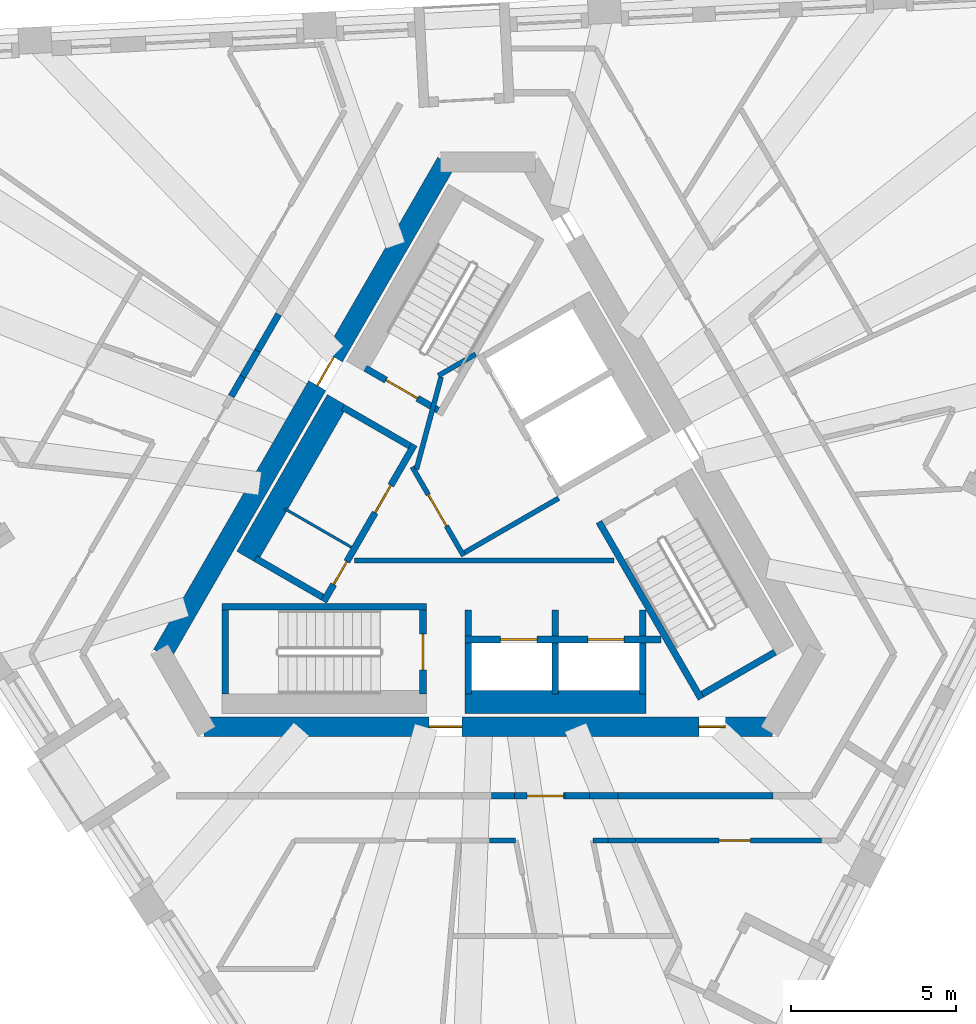
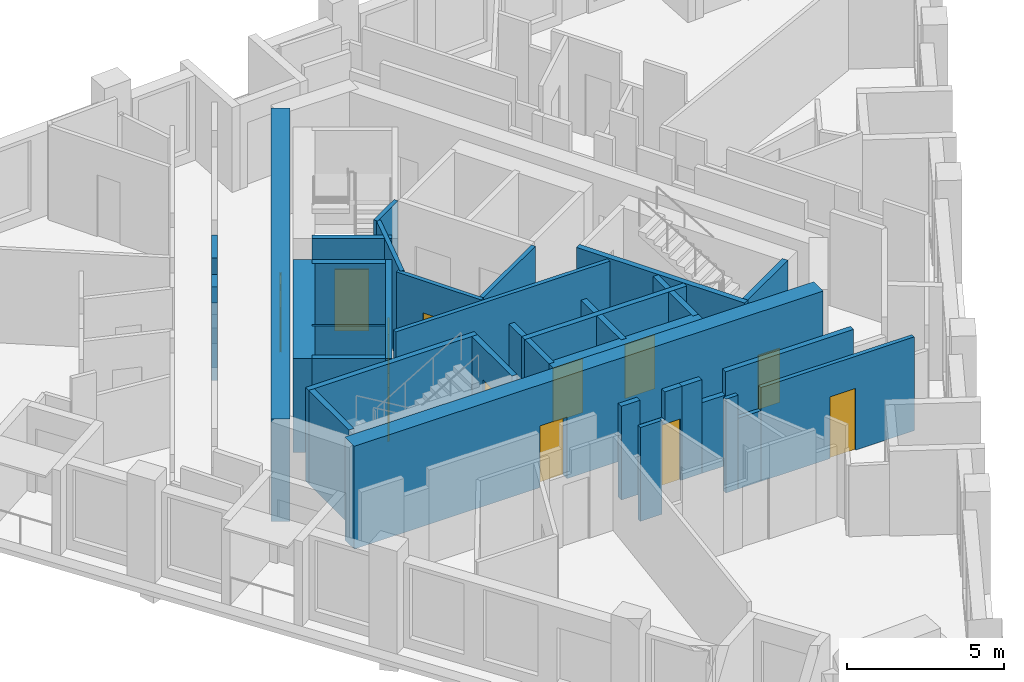
# One storey, part 4 of 13: 38 walls, 12 doors, 12 openings.
"""IFC4 building model written with IfcOpenShell, lengths in metres."""

from ifc_helpers import new_model, si_unit, direction, frame, frame_2d, origin, place, context, subcontext, project, spatial, polyline, rectangle, outline, extrude, material, layer, layer_set, type_object, element, fill, save


model = new_model("IFC4")

# Units and contexts
model_context = context("Model", 3, precision=1e-05, world=origin(), true_north=direction((0.0, 1.0)))
body_context = subcontext(model_context, "Body", "Model", "MODEL_VIEW")
ifc_project = project(units=[si_unit("LENGTHUNIT", "METRE"), si_unit("AREAUNIT", "SQUARE_METRE"), si_unit("VOLUMEUNIT", "CUBIC_METRE"), si_unit("PLANEANGLEUNIT", "RADIAN"), si_unit("MASSUNIT", "GRAM", prefix="KILO")], contexts=[model_context])

# Site, building, storey
site_placement = place(None, origin())
site = spatial("IfcSite", under=ifc_project, at=site_placement, CompositionType="ELEMENT")
building_placement = place(site_placement, origin())
building = spatial("IfcBuilding", under=site, at=building_placement, Name="Tramontana Tower", CompositionType="ELEMENT")
storey_placement = place(building_placement, frame((0.0, 0.0, 286.39990234375)))
storey = spatial("IfcBuildingStorey", under=building, at=storey_placement, Name="L67", CompositionType="ELEMENT", Elevation=286.39990234375)

# Wall, opening, door
ifc_material_1 = material(Name="Concrete 70 MPa", Category="concrete")
ifc_layer_1 = layer(ifc_material_1, 0.60009765625)
ifc_layer_set_1 = layer_set([ifc_layer_1], Name="Core wall 600 70 MPa")
wall_type_1 = type_object("IfcWallType", Name="Core wall 600 70 MPa", PredefinedType="SHEAR", material=ifc_layer_set_1)
wall_1_placement = place(storey_placement, frame((-1.270263671875, 10.699951171875, 0.0), z_axis=(0.0, 0.0, 1.0), x_axis=(-0.499999536116, -0.866025671608, 0.0)))
wall_1 = element("IfcWall", 1, at=wall_1_placement, inside=storey, type_object=wall_type_1, Name="Core wall C1 L67", PredefinedType="SHEAR", context=body_context, shape_type="SweptSolid", body=[
    extrude(rectangle(XDim=17.2626953125, YDim=0.60009765625, at=frame_2d((8.63134765625, 0.0))), origin(), (0.0, 0.0, 1.0), 4.0),
])
opening_1_placement = place(wall_1_placement, frame((6.83642578125, 0.0, 0.0)))
opening_1 = element("IfcOpeningElement", 2, at=opening_1_placement, cuts=wall_1, Name="Opening RG1", PredefinedType="OPENING", context=body_context, shape_type="SweptSolid", body=[
    extrude(rectangle(XDim=1.0, YDim=2.39990234375, at=frame_2d((0.5, 1.199951171875))), frame((0.0, 0.31005859375, 0.0), z_axis=(0.0, -1.0, 0.0), x_axis=(1.0, 0.0, 0.0)), (0.0, 0.0, 1.0), 0.6201171875),
])
ifc_material_2 = material(Name="Painted steel", Category="steel")
door_type_1 = type_object("IfcDoorType", Name="RING DOOR 1000", OperationType="SINGLE_SWING_LEFT", PredefinedType="DOOR", material=ifc_material_2)
door_1_placement = place(opening_1_placement, origin())
door_1 = element("IfcDoor", 3, at=door_1_placement, inside=storey, type_object=door_type_1, Name="Door RG1", OperationType="SINGLE_SWING_RIGHT", OverallHeight=2.39990234375, OverallWidth=1.0, PredefinedType="DOOR", context=body_context, shape_type="SweptSolid", body=[
    extrude(rectangle(XDim=1.0, YDim=2.39990234375, at=frame_2d((0.5, 1.199951171875))), frame((0.0, 0.02490234375, 0.0), z_axis=(0.0, -1.0, 0.0), x_axis=(1.0, 0.0, 0.0)), (0.0, 0.0, 1.0), 0.050048828125),
])
fill(opening_1, door_1)

# Wall, openings, doors
wall_2_placement = place(storey_placement, frame((-8.63134765625, -6.449951171875, 0.0), z_axis=(0.0, 0.0, 1.0), x_axis=(1.0, 0.0, 0.0)))
wall_2 = element("IfcWall", 4, at=wall_2_placement, inside=storey, type_object=wall_type_1, Name="Core wall C3 L67", PredefinedType="SHEAR", context=body_context, shape_type="SweptSolid", body=[
    extrude(rectangle(XDim=17.2626953125, YDim=0.60009765625, at=frame_2d((8.63134765625, 0.0))), origin(), (0.0, 0.0, 1.0), 4.0),
])
opening_2_placement = place(wall_2_placement, frame((6.83642578125, 0.0, 0.0)))
opening_2 = element("IfcOpeningElement", 5, at=opening_2_placement, cuts=wall_2, Name="Opening RG2", PredefinedType="OPENING", context=body_context, shape_type="SweptSolid", body=[
    extrude(rectangle(XDim=1.0, YDim=2.39990234375, at=frame_2d((0.5, 1.199951171875))), frame((0.0, 0.31005859375, 0.0), z_axis=(0.0, -1.0, 0.0), x_axis=(1.0, 0.0, 0.0)), (0.0, 0.0, 1.0), 0.6201171875),
])
opening_3_placement = place(wall_2_placement, frame((15.0341796875, 0.0, 0.0)))
opening_3 = element("IfcOpeningElement", 6, at=opening_3_placement, cuts=wall_2, Name="Opening PD2", PredefinedType="OPENING", context=body_context, shape_type="SweptSolid", body=[
    extrude(rectangle(XDim=0.800048828125, YDim=2.10009765625, at=frame_2d((0.39990234375, 1.050048828125))), frame((0.0, 0.31005859375, 0.0), z_axis=(0.0, -1.0, 0.0), x_axis=(1.0, 0.0, 0.0)), (0.0, 0.0, 1.0), 0.6201171875),
])
ifc_material_3 = material(Name="Painted steel", Category="steel")
door_type_2 = type_object("IfcDoorType", Name="CUPBOARD DOOR 800", OperationType="SINGLE_SWING_LEFT", PredefinedType="DOOR", material=ifc_material_3)
door_2_placement = place(opening_3_placement, origin())
door_2 = element("IfcDoor", 7, at=door_2_placement, inside=storey, type_object=door_type_2, Name="Door PD2", OperationType="SINGLE_SWING_LEFT", OverallHeight=2.10009765625, OverallWidth=0.800048828125, PredefinedType="DOOR", context=body_context, shape_type="SweptSolid", body=[
    extrude(rectangle(XDim=0.800048828125, YDim=2.10009765625, at=frame_2d((0.39990234375, 1.050048828125))), frame((0.0, 0.02490234375, 0.0), z_axis=(0.0, -1.0, 0.0), x_axis=(1.0, 0.0, 0.0)), (0.0, 0.0, 1.0), 0.050048828125),
])
fill(opening_3, door_2)
door_3_placement = place(opening_2_placement, origin())
door_3 = element("IfcDoor", 8, at=door_3_placement, inside=storey, type_object=door_type_1, Name="Door RG2", OperationType="SINGLE_SWING_LEFT", OverallHeight=2.39990234375, OverallWidth=1.0, PredefinedType="DOOR", context=body_context, shape_type="SweptSolid", body=[
    extrude(rectangle(XDim=1.0, YDim=2.39990234375, at=frame_2d((0.5, 1.199951171875))), frame((0.0, 0.02490234375, 0.0), z_axis=(0.0, -1.0, 0.0), x_axis=(1.0, 0.0, 0.0)), (0.0, 0.0, 1.0), 0.050048828125),
])
fill(opening_2, door_3)

# Walls
ifc_material_4 = material(Name="Blockwork", Category="masonry")
ifc_layer_2 = layer(ifc_material_4, 0.199951171875)
ifc_layer_set_2 = layer_set([ifc_layer_2], Name="ENTRY WALL 200")
wall_type_2 = type_object("IfcWallType", Name="ENTRY WALL 200", PredefinedType="SOLIDWALL", material=ifc_layer_set_2)
wall_3_placement = place(storey_placement, frame((8.6552734375, -8.550048828125, 0.0), z_axis=(0.0, 0.0, 1.0), x_axis=(-1.0, 0.0, 0.0)))
element("IfcWall", 9, at=wall_3_placement, inside=storey, type_object=wall_type_2, Name="Wall v71-ew1-1", PredefinedType="SOLIDWALL", context=body_context, shape_type="SweptSolid", body=[
    extrude(rectangle(XDim=4.71728515625, YDim=0.199951171875, at=frame_2d((2.358642578125, 0.0))), origin(), (0.0, 0.0, 1.0), 3.650146484375),
])
wall_4_placement = place(storey_placement, frame((3.93798828125, -8.550048828125, 0.0), z_axis=(0.0, 0.0, 1.0), x_axis=(-1.0, 0.0, 0.0)))
element("IfcWall", 10, at=wall_4_placement, inside=storey, type_object=wall_type_2, Name="Wall v71-ew1-2", PredefinedType="SOLIDWALL", context=body_context, shape_type="SweptSolid", body=[
    extrude(rectangle(XDim=0.864501953125, YDim=0.199951171875, at=frame_2d((0.43212890625, 0.0))), origin(), (0.0, 0.0, 1.0), 2.75),
])
wall_5_placement = place(storey_placement, frame((3.073486328125, -8.550048828125, 0.0), z_axis=(0.0, 0.0, 1.0), x_axis=(-1.0, 0.0, 0.0)))
element("IfcWall", 11, at=wall_5_placement, inside=storey, type_object=wall_type_2, Name="Wall v71-ew1-3", PredefinedType="SOLIDWALL", context=body_context, shape_type="SweptSolid", body=[
    extrude(rectangle(XDim=0.73828125, YDim=0.199951171875, at=frame_2d((0.369140625, 0.0))), origin(), (0.0, 0.0, 1.0), 3.650146484375),
])

# Wall, opening, door
wall_6_placement = place(storey_placement, frame((2.335205078125, -8.550048828125, 0.0), z_axis=(0.0, 0.0, 1.0), x_axis=(-1.0, 0.0, 0.0)))
wall_6 = element("IfcWall", 12, at=wall_6_placement, inside=storey, type_object=wall_type_2, Name="Wall v71-ew1-4", PredefinedType="SOLIDWALL", context=body_context, shape_type="SweptSolid", body=[
    extrude(outline(polyline([(0.0, 0.0), (1.5400390625, 0.0), (1.5400390625, 2.550048828125), (0.63037109375, 2.550048828125), (0.63037109375, 3.650146484375), (0.0, 3.650146484375), (0.0, 0.0)])), frame((0.0, 0.10009765625, 0.0), z_axis=(0.0, -1.0, 0.0), x_axis=(1.0, 0.0, 0.0)), (0.0, 0.0, 1.0), 0.199951171875),
])
opening_4_placement = place(wall_6_placement, frame((0.050048828125, 0.0, 0.0)))
opening_4 = element("IfcOpeningElement", 13, at=opening_4_placement, cuts=wall_6, Name="Opening B7B-21", PredefinedType="OPENING", context=body_context, shape_type="SweptSolid", body=[
    extrude(rectangle(XDim=1.10009765625, YDim=2.39990234375, at=frame_2d((0.550048828125, 1.199951171875))), frame((0.0, 0.10986328125, 0.0), z_axis=(0.0, -1.0, 0.0), x_axis=(1.0, 0.0, 0.0)), (0.0, 0.0, 1.0), 0.219970703125),
])
ifc_material_5 = material(Name="Painted timber", Category="wood")
door_type_3 = type_object("IfcDoorType", Name="DOOR ENTRY 1100", OperationType="SINGLE_SWING_LEFT", PredefinedType="DOOR", material=ifc_material_5)
door_4_placement = place(opening_4_placement, origin())
door_4 = element("IfcDoor", 14, at=door_4_placement, inside=storey, type_object=door_type_3, Name="Door B7B-21", OperationType="SINGLE_SWING_LEFT", OverallHeight=2.39990234375, OverallWidth=1.10009765625, PredefinedType="DOOR", context=body_context, shape_type="SweptSolid", body=[
    extrude(rectangle(XDim=1.10009765625, YDim=2.39990234375, at=frame_2d((0.550048828125, 1.199951171875))), frame((0.0, 0.02490234375, 0.0), z_axis=(0.0, -1.0, 0.0), x_axis=(1.0, 0.0, 0.0)), (0.0, 0.0, 1.0), 0.050048828125),
])
fill(opening_4, door_4)

# Walls
wall_7_placement = place(storey_placement, frame((0.795166015625, -8.550048828125, 0.0), z_axis=(0.0, 0.0, 1.0), x_axis=(-1.0, 0.0, 0.0)))
element("IfcWall", 15, at=wall_7_placement, inside=storey, type_object=wall_type_2, Name="Wall v71-ew1-5", PredefinedType="SOLIDWALL", context=body_context, shape_type="SweptSolid", body=[
    extrude(rectangle(XDim=0.69091796875, YDim=0.199951171875, at=frame_2d((0.345458984375, 0.0))), origin(), (0.0, 0.0, 1.0), 3.650146484375),
])
wall_8_placement = place(storey_placement, frame((-7.80224609375, 3.586181640625, 0.0), z_axis=(0.0, 0.0, 1.0), x_axis=(0.500242282693, 0.865885476611, 0.0)))
element("IfcWall", 16, at=wall_8_placement, inside=storey, type_object=wall_type_2, Name="Wall v71-ew3-5", PredefinedType="SOLIDWALL", context=body_context, shape_type="SweptSolid", body=[
    extrude(rectangle(XDim=0.691162109375, YDim=0.199951171875, at=frame_2d((0.345703125, 0.0))), origin(), (0.0, 0.0, 1.0), 3.650146484375),
])
wall_9_placement = place(storey_placement, frame((-7.45654296875, 4.1845703125, 0.0), z_axis=(0.0, 0.0, 1.0), x_axis=(0.499753735824, 0.866167537795, 0.0)))
element("IfcWall", 17, at=wall_9_placement, inside=storey, type_object=wall_type_2, Name="Wall v71-ew3-6", PredefinedType="SOLIDWALL", context=body_context, shape_type="SweptSolid", body=[
    extrude(rectangle(XDim=0.90087890625, YDim=0.199951171875, at=frame_2d((0.450439453125, 0.0))), origin(), (0.0, 0.0, 1.0), 2.550048828125),
])
wall_10_placement = place(storey_placement, frame((-7.00634765625, 4.96484375, 0.0), z_axis=(0.0, 0.0, 1.0), x_axis=(0.500018234033, 0.866014876105, 0.0)))
element("IfcWall", 18, at=wall_10_placement, inside=storey, type_object=wall_type_2, Name="Wall v71-ew3-7", PredefinedType="SOLIDWALL", context=body_context, shape_type="SweptSolid", body=[
    extrude(rectangle(XDim=1.2861328125, YDim=0.199951171875, at=frame_2d((0.64306640625, 0.0))), origin(), (0.0, 0.0, 1.0), 3.650146484375),
])

# Wall, opening, door
ifc_material_6 = material(Name="Gypsum board partition")
ifc_layer_3 = layer(ifc_material_6, 0.14990234375)
ifc_layer_set_3 = layer_set([ifc_layer_3], Name="PARTITION 150")
wall_type_3 = type_object("IfcWallType", Name="PARTITION 150", PredefinedType="PARTITIONING", material=ifc_layer_set_3)
wall_11_placement = place(storey_placement, frame((-0.744140625, -1.260986328125, 0.0), z_axis=(0.0, 0.0, 1.0), x_axis=(-0.500004234368, 0.866022959057, 0.0)))
wall_11 = element("IfcWall", 19, at=wall_11_placement, inside=storey, type_object=wall_type_3, Name="Wall ff-front", PredefinedType="PARTITIONING", context=body_context, shape_type="SweptSolid", body=[
    extrude(rectangle(XDim=3.125, YDim=0.14990234375, at=frame_2d((1.5625, 0.0))), origin(), (0.0, 0.0, 1.0), 3.650146484375),
])
opening_5_placement = place(wall_11_placement, frame((1.050048828125, 0.0, 0.0)))
opening_5 = element("IfcOpeningElement", 20, at=opening_5_placement, cuts=wall_11, Name="Opening FD1", PredefinedType="OPENING", context=body_context, shape_type="SweptSolid", body=[
    extrude(rectangle(XDim=1.10009765625, YDim=2.39990234375, at=frame_2d((0.550048828125, 1.199951171875))), frame((0.0, 0.0849609375, 0.0), z_axis=(0.0, -1.0, 0.0), x_axis=(1.0, 0.0, 0.0)), (0.0, 0.0, 1.0), 0.169921875),
])
door_5_placement = place(opening_5_placement, origin())
door_5 = element("IfcDoor", 21, at=door_5_placement, inside=storey, type_object=door_type_3, Name="Door FD1", OperationType="SINGLE_SWING_LEFT", OverallHeight=2.39990234375, OverallWidth=1.10009765625, PredefinedType="DOOR", context=body_context, shape_type="SweptSolid", body=[
    extrude(rectangle(XDim=1.10009765625, YDim=2.39990234375, at=frame_2d((0.550048828125, 1.199951171875))), frame((0.0, 0.02490234375, 0.0), z_axis=(0.0, -1.0, 0.0), x_axis=(1.0, 0.0, 0.0)), (0.0, 0.0, 1.0), 0.050048828125),
])
fill(opening_5, door_5)

# Walls
wall_12_placement = place(storey_placement, frame((-0.716796875, -1.15869140625, 0.0), z_axis=(0.0, 0.0, 1.0), x_axis=(0.866008176907, 0.50002983664, 0.0)))
element("IfcWall", 22, at=wall_12_placement, inside=storey, type_object=wall_type_3, Name="Wall ff-end0", PredefinedType="PARTITIONING", context=body_context, shape_type="SweptSolid", body=[
    extrude(rectangle(XDim=3.300048828125, YDim=0.14990234375, at=frame_2d((1.64990234375, 0.0))), origin(), (0.0, 0.0, 1.0), 3.650146484375),
])
wall_13_placement = place(storey_placement, frame((-2.177978515625, 1.372314453125, 0.0), z_axis=(0.0, 0.0, 1.0), x_axis=(0.258808958833, 0.96592852884, 0.0)))
element("IfcWall", 23, at=wall_13_placement, inside=storey, type_object=wall_type_3, Name="Wall ff-diag", PredefinedType="PARTITIONING", context=body_context, shape_type="SweptSolid", body=[
    extrude(rectangle(XDim=2.902587890625, YDim=0.14990234375, at=frame_2d((1.451171875, 0.0))), origin(), (0.0, 0.0, 1.0), 3.650146484375),
])
wall_14_placement = place(storey_placement, frame((-1.509765625, 4.21484375, 0.0), z_axis=(0.0, 0.0, 1.0), x_axis=(0.866085525409, 0.49989585183, 0.0)))
element("IfcWall", 24, at=wall_14_placement, inside=storey, type_object=wall_type_3, Name="Wall ff-end1", PredefinedType="PARTITIONING", context=body_context, shape_type="SweptSolid", body=[
    extrude(rectangle(XDim=1.300048828125, YDim=0.14990234375, at=frame_2d((0.64990234375, 0.0))), origin(), (0.0, 0.0, 1.0), 3.650146484375),
])
wall_15_placement = place(storey_placement, frame((-4.053466796875, -1.39990234375, 0.0), z_axis=(0.0, 0.0, 1.0), x_axis=(1.0, 0.0, 0.0)))
element("IfcWall", 25, at=wall_15_placement, inside=storey, type_object=wall_type_3, Name="Wall hub-cut1", PredefinedType="PARTITIONING", context=body_context, shape_type="SweptSolid", body=[
    extrude(rectangle(XDim=7.8759765625, YDim=0.14990234375, at=frame_2d((3.93798828125, 0.0))), origin(), (0.0, 0.0, 1.0), 3.650146484375),
])
wall_16_placement = place(storey_placement, frame((0.83251953125, -9.89990234375, 0.0), z_axis=(0.0, 0.0, 1.0), x_axis=(-1.0, 0.0, 0.0)))
element("IfcWall", 26, at=wall_16_placement, inside=storey, type_object=wall_type_3, Name="Wall v71-pw21-0", PredefinedType="PARTITIONING", context=body_context, shape_type="SweptSolid", body=[
    extrude(rectangle(XDim=0.79541015625, YDim=0.14990234375, at=frame_2d((0.397705078125, 0.0))), origin(), (0.0, 0.0, 1.0), 3.650146484375),
])

# Wall, opening, door
wall_17_placement = place(storey_placement, frame((10.121337890625, -9.89990234375, 0.0), z_axis=(0.0, 0.0, 1.0), x_axis=(-1.0, 0.0, 0.0)))
wall_17 = element("IfcWall", 27, at=wall_17_placement, inside=storey, type_object=wall_type_3, Name="Wall v71-pw36-1", PredefinedType="PARTITIONING", context=body_context, shape_type="SweptSolid", body=[
    extrude(rectangle(XDim=5.643310546875, YDim=0.14990234375, at=frame_2d((2.82177734375, 0.0))), origin(), (0.0, 0.0, 1.0), 3.650146484375),
])
opening_6_placement = place(wall_17_placement, frame((2.158447265625, 0.0, 0.0)))
opening_6 = element("IfcOpeningElement", 28, at=opening_6_placement, cuts=wall_17, Name="Opening B7B-11", PredefinedType="OPENING", context=body_context, shape_type="SweptSolid", body=[
    extrude(rectangle(XDim=0.949951171875, YDim=2.39990234375, at=frame_2d((0.47509765625, 1.199951171875))), frame((0.0, 0.0849609375, 0.0), z_axis=(0.0, -1.0, 0.0), x_axis=(1.0, 0.0, 0.0)), (0.0, 0.0, 1.0), 0.169921875),
])
ifc_material_7 = material(Name="Painted timber", Category="wood")
door_type_4 = type_object("IfcDoorType", Name="DOOR ROOM 950", OperationType="SINGLE_SWING_LEFT", PredefinedType="DOOR", material=ifc_material_7)
door_6_placement = place(opening_6_placement, origin())
door_6 = element("IfcDoor", 29, at=door_6_placement, inside=storey, type_object=door_type_4, Name="Door B7B-11", OperationType="SINGLE_SWING_LEFT", OverallHeight=2.39990234375, OverallWidth=0.949951171875, PredefinedType="DOOR", context=body_context, shape_type="SweptSolid", body=[
    extrude(rectangle(XDim=0.949951171875, YDim=2.39990234375, at=frame_2d((0.47509765625, 1.199951171875))), frame((0.0, 0.02490234375, 0.0), z_axis=(0.0, -1.0, 0.0), x_axis=(1.0, 0.0, 0.0)), (0.0, 0.0, 1.0), 0.050048828125),
])
fill(opening_6, door_6)

# Walls
wall_18_placement = place(storey_placement, frame((4.47802734375, -9.89990234375, 0.0), z_axis=(0.0, 0.0, 1.0), x_axis=(-1.0, 0.0, 0.0)))
element("IfcWall", 30, at=wall_18_placement, inside=storey, type_object=wall_type_3, Name="Wall v71-pw36-2", PredefinedType="PARTITIONING", context=body_context, shape_type="SweptSolid", body=[
    extrude(rectangle(XDim=0.837646484375, YDim=0.14990234375, at=frame_2d((0.4189453125, 0.0))), origin(), (0.0, 0.0, 1.0), 2.75),
])
wall_19_placement = place(storey_placement, frame((3.640380859375, -9.89990234375, 0.0), z_axis=(0.0, 0.0, 1.0), x_axis=(-1.0, 0.0, 0.0)))
element("IfcWall", 31, at=wall_19_placement, inside=storey, type_object=wall_type_3, Name="Wall v71-pw36-3", PredefinedType="PARTITIONING", context=body_context, shape_type="SweptSolid", body=[
    extrude(rectangle(XDim=0.45263671875, YDim=0.14990234375, at=frame_2d((0.226318359375, 0.0))), origin(), (0.0, 0.0, 1.0), 3.650146484375),
])
ifc_material_8 = material(Name="Gypsum board partition")
ifc_layer_4 = layer(ifc_material_8, 0.080078125)
ifc_layer_set_4 = layer_set([ifc_layer_4], Name="PARTITION 80")
wall_type_4 = type_object("IfcWallType", Name="PARTITION 80", PredefinedType="PARTITIONING", material=ifc_layer_set_4)
wall_20_placement = place(storey_placement, frame((-4.15478515625, -0.99609375, 0.0), z_axis=(0.0, 0.0, 1.0), x_axis=(-0.866016039709, 0.500016218704, 0.0)))
element("IfcWall", 32, at=wall_20_placement, inside=storey, type_object=wall_type_4, Name="Wall row0-split", PredefinedType="PARTITIONING", context=body_context, shape_type="SweptSolid", body=[
    extrude(rectangle(XDim=2.35009765625, YDim=0.080078125, at=frame_2d((1.175048828125, 0.0))), origin(), (0.0, 0.0, 1.0), 3.650146484375),
])
ifc_material_9 = material(Name="Concrete 70 MPa", Category="concrete")
ifc_layer_5 = layer(ifc_material_9, 0.699951171875)
ifc_layer_set_5 = layer_set([ifc_layer_5], Name="Concrete 70 MPa, 700 mm")
wall_type_5 = type_object("IfcWallType", Name="RC SHAFT BACK WALL 700", PredefinedType="SOLIDWALL", material=ifc_layer_set_5)
for number, where, z_axis, x_axis, name in (
    (33, (-4.581298828125, 3.46484375, 0.0), (0.0, 0.0, 1.0), (-0.499996545922, -0.866027397988, 0.0), "Wall row0-back"),
    (34, (-0.7099609375, -5.699951171875, 0.0), (0.0, 0.0, 1.0), (1.0, 0.0, 0.0), "Wall row1-back"),
):
    element("IfcWall", number, at=place(storey_placement, frame(where, z_axis=z_axis, x_axis=x_axis)), inside=storey, type_object=wall_type_5, Name=name, PredefinedType="SOLIDWALL", context=body_context, shape_type="SweptSolid", body=[
        extrude(rectangle(XDim=5.5, YDim=0.699951171875, at=frame_2d((2.75, 0.0))), origin(), (0.0, 0.0, 1.0), 3.650146484375),
    ])

# Wall, opening, door
ifc_material_10 = material(Name="Concrete 70 MPa", Category="concrete")
ifc_layer_6 = layer(ifc_material_10, 0.199951171875)
ifc_layer_set_6 = layer_set([ifc_layer_6], Name="Concrete 70 MPa, 200 mm")
wall_type_6 = type_object("IfcWallType", Name="RC STAIR AND SHAFT WALL 200", PredefinedType="SOLIDWALL", material=ifc_layer_set_6)
wall_21_placement = place(storey_placement, frame((-1.521484375, 3.164794921875, 0.0), z_axis=(0.0, 0.0, 1.0), x_axis=(-0.866030925526, 0.499990435942, 0.0)))
wall_21 = element("IfcWall", 35, at=wall_21_placement, inside=storey, type_object=wall_type_6, Name="Wall st1-near", PredefinedType="SOLIDWALL", context=body_context, shape_type="SweptSolid", body=[
    extrude(rectangle(XDim=2.5498046875, YDim=0.199951171875, at=frame_2d((1.27490234375, 0.0))), origin(), (0.0, 0.0, 1.0), 3.650146484375),
])
opening_7_placement = place(wall_21_placement, frame((0.72509765625, 0.0, 0.0)))
opening_7 = element("IfcOpeningElement", 36, at=opening_7_placement, cuts=wall_21, Name="Opening SD1", PredefinedType="OPENING", context=body_context, shape_type="SweptSolid", body=[
    extrude(rectangle(XDim=1.10009765625, YDim=2.39990234375, at=frame_2d((0.550048828125, 1.199951171875))), frame((0.0, 0.10986328125, 0.0), z_axis=(0.0, -1.0, 0.0), x_axis=(1.0, 0.0, 0.0)), (0.0, 0.0, 1.0), 0.219970703125),
])
ifc_material_11 = material(Name="Painted steel", Category="steel")
door_type_5 = type_object("IfcDoorType", Name="STAIR DOOR 1100", OperationType="SINGLE_SWING_LEFT", PredefinedType="DOOR", material=ifc_material_11)
door_7_placement = place(opening_7_placement, origin())
door_7 = element("IfcDoor", 37, at=door_7_placement, inside=storey, type_object=door_type_5, Name="Door SD1", OperationType="SINGLE_SWING_RIGHT", OverallHeight=2.39990234375, OverallWidth=1.10009765625, PredefinedType="DOOR", context=body_context, shape_type="SweptSolid", body=[
    extrude(rectangle(XDim=1.10009765625, YDim=2.39990234375, at=frame_2d((0.550048828125, 1.199951171875))), frame((0.0, 0.02490234375, 0.0), z_axis=(0.0, -1.0, 0.0), x_axis=(1.0, 0.0, 0.0)), (0.0, 0.0, 1.0), 0.050048828125),
])
fill(opening_7, door_7)

# Walls
wall_22_placement = place(storey_placement, frame((-8.080078125, -2.800048828125, 0.0), z_axis=(0.0, 0.0, 1.0), x_axis=(1.0, 0.0, 0.0)))
element("IfcWall", 38, at=wall_22_placement, inside=storey, type_object=wall_type_6, Name="Wall st2-front", PredefinedType="SOLIDWALL", context=body_context, shape_type="SweptSolid", body=[
    extrude(rectangle(XDim=6.2001953125, YDim=0.199951171875, at=frame_2d((3.10009765625, 0.0))), origin(), (0.0, 0.0, 1.0), 3.650146484375),
])
wall_23_placement = place(storey_placement, frame((-7.97998046875, -2.89990234375, 0.0), z_axis=(0.0, 0.0, 1.0), x_axis=(0.0, -1.0, 0.0)))
element("IfcWall", 39, at=wall_23_placement, inside=storey, type_object=wall_type_6, Name="Wall st2-far", PredefinedType="SOLIDWALL", context=body_context, shape_type="SweptSolid", body=[
    extrude(rectangle(XDim=2.550048828125, YDim=0.199951171875, at=frame_2d((1.27490234375, 0.0))), origin(), (0.0, 0.0, 1.0), 3.650146484375),
])

# Wall, opening, door
wall_24_placement = place(storey_placement, frame((-1.97998046875, -2.89990234375, 0.0), z_axis=(0.0, 0.0, 1.0), x_axis=(0.0, -1.0, 0.0)))
wall_24 = element("IfcWall", 40, at=wall_24_placement, inside=storey, type_object=wall_type_6, Name="Wall st2-near", PredefinedType="SOLIDWALL", context=body_context, shape_type="SweptSolid", body=[
    extrude(rectangle(XDim=2.550048828125, YDim=0.199951171875, at=frame_2d((1.27490234375, 0.0))), origin(), (0.0, 0.0, 1.0), 3.650146484375),
])
opening_8_placement = place(wall_24_placement, frame((0.72509765625, 0.0, 0.0)))
opening_8 = element("IfcOpeningElement", 41, at=opening_8_placement, cuts=wall_24, Name="Opening SD2", PredefinedType="OPENING", context=body_context, shape_type="SweptSolid", body=[
    extrude(rectangle(XDim=1.10009765625, YDim=2.39990234375, at=frame_2d((0.550048828125, 1.199951171875))), frame((0.0, 0.10986328125, 0.0), z_axis=(0.0, -1.0, 0.0), x_axis=(1.0, 0.0, 0.0)), (0.0, 0.0, 1.0), 0.219970703125),
])
door_8_placement = place(opening_8_placement, origin())
door_8 = element("IfcDoor", 42, at=door_8_placement, inside=storey, type_object=door_type_5, Name="Door SD2", OperationType="SINGLE_SWING_LEFT", OverallHeight=2.39990234375, OverallWidth=1.10009765625, PredefinedType="DOOR", context=body_context, shape_type="SweptSolid", body=[
    extrude(rectangle(XDim=1.10009765625, YDim=2.39990234375, at=frame_2d((0.550048828125, 1.199951171875))), frame((0.0, 0.02490234375, 0.0), z_axis=(0.0, -1.0, 0.0), x_axis=(1.0, 0.0, 0.0)), (0.0, 0.0, 1.0), 0.050048828125),
])
fill(opening_8, door_8)

# Walls
wall_25_placement = place(storey_placement, frame((6.46484375, -5.597412109375, 0.0), z_axis=(0.0, 0.0, 1.0), x_axis=(-0.49998037582, 0.866036733513, 0.0)))
element("IfcWall", 43, at=wall_25_placement, inside=storey, type_object=wall_type_6, Name="Wall st3-front", PredefinedType="SOLIDWALL", context=body_context, shape_type="SweptSolid", body=[
    extrude(rectangle(XDim=6.199951171875, YDim=0.199951171875, at=frame_2d((3.10009765625, 0.0))), origin(), (0.0, 0.0, 1.0), 3.650146484375),
])
wall_26_placement = place(storey_placement, frame((6.50146484375, -5.4609375, 0.0), z_axis=(0.0, 0.0, 1.0), x_axis=(0.865989465428, 0.500062241894, 0.0)))
element("IfcWall", 44, at=wall_26_placement, inside=storey, type_object=wall_type_6, Name="Wall st3-far", PredefinedType="SOLIDWALL", context=body_context, shape_type="SweptSolid", body=[
    extrude(rectangle(XDim=2.550048828125, YDim=0.199951171875, at=frame_2d((1.27490234375, 0.0))), origin(), (0.0, 0.0, 1.0), 3.650146484375),
])

# Wall, openings, doors
wall_27_placement = place(storey_placement, frame((-4.9931640625, -2.648193359375, 0.0), z_axis=(0.0, 0.0, 1.0), x_axis=(0.499996545922, 0.866027397988, 0.0)))
wall_27 = element("IfcWall", 45, at=wall_27_placement, inside=storey, type_object=wall_type_6, Name="Wall row0-front", PredefinedType="SOLIDWALL", context=body_context, shape_type="SweptSolid", body=[
    extrude(rectangle(XDim=5.5, YDim=0.199951171875, at=frame_2d((2.75, 0.0))), origin(), (0.0, 0.0, 1.0), 3.650146484375),
])
opening_9_placement = place(wall_27_placement, frame((3.1201171875, 0.0, 0.0)))
opening_9 = element("IfcOpeningElement", 46, at=opening_9_placement, cuts=wall_27, Name="Opening RD-0A", PredefinedType="OPENING", context=body_context, shape_type="SweptSolid", body=[
    extrude(rectangle(XDim=0.949951171875, YDim=2.39990234375, at=frame_2d((0.47509765625, 1.199951171875))), frame((0.0, 0.10986328125, 0.0), z_axis=(0.0, -1.0, 0.0), x_axis=(1.0, 0.0, 0.0)), (0.0, 0.0, 1.0), 0.219970703125),
])
opening_10_placement = place(wall_27_placement, frame((0.60498046875, 0.0, 0.0)))
opening_10 = element("IfcOpeningElement", 47, at=opening_10_placement, cuts=wall_27, Name="Opening RD-0B", PredefinedType="OPENING", context=body_context, shape_type="SweptSolid", body=[
    extrude(rectangle(XDim=0.800048828125, YDim=2.10009765625, at=frame_2d((0.39990234375, 1.050048828125))), frame((0.0, 0.10986328125, 0.0), z_axis=(0.0, -1.0, 0.0), x_axis=(1.0, 0.0, 0.0)), (0.0, 0.0, 1.0), 0.219970703125),
])
door_9_placement = place(opening_10_placement, origin())
door_9 = element("IfcDoor", 48, at=door_9_placement, inside=storey, type_object=door_type_2, Name="Door RD-0B", OperationType="SINGLE_SWING_RIGHT", OverallHeight=2.10009765625, OverallWidth=0.800048828125, PredefinedType="DOOR", context=body_context, shape_type="SweptSolid", body=[
    extrude(rectangle(XDim=0.800048828125, YDim=2.10009765625, at=frame_2d((0.39990234375, 1.050048828125))), frame((0.0, 0.02490234375, 0.0), z_axis=(0.0, -1.0, 0.0), x_axis=(1.0, 0.0, 0.0)), (0.0, 0.0, 1.0), 0.050048828125),
])
fill(opening_10, door_9)
door_10_placement = place(opening_9_placement, origin())
door_10 = element("IfcDoor", 49, at=door_10_placement, inside=storey, type_object=door_type_4, Name="Door RD-0A", OperationType="SINGLE_SWING_LEFT", OverallHeight=2.39990234375, OverallWidth=0.949951171875, PredefinedType="DOOR", context=body_context, shape_type="SweptSolid", body=[
    extrude(rectangle(XDim=0.949951171875, YDim=2.39990234375, at=frame_2d((0.47509765625, 1.199951171875))), frame((0.0, 0.02490234375, 0.0), z_axis=(0.0, -1.0, 0.0), x_axis=(1.0, 0.0, 0.0)), (0.0, 0.0, 1.0), 0.050048828125),
])
fill(opening_9, door_10)

# Walls
wall_28_placement = place(storey_placement, frame((-2.379638671875, 2.078369140625, 0.0), z_axis=(0.0, 0.0, 1.0), x_axis=(-0.866061024631, 0.499938297808, 0.0)))
element("IfcWall", 50, at=wall_28_placement, inside=storey, type_object=wall_type_6, Name="Wall row0-side0", PredefinedType="SOLIDWALL", context=body_context, shape_type="SweptSolid", body=[
    extrude(rectangle(XDim=2.349853515625, YDim=0.199951171875, at=frame_2d((1.1748046875, 0.0))), origin(), (0.0, 0.0, 1.0), 3.650146484375),
])
wall_29_placement = place(storey_placement, frame((-5.02978515625, -2.51171875, 0.0), z_axis=(0.0, 0.0, 1.0), x_axis=(-0.866016039709, 0.500016218704, 0.0)))
element("IfcWall", 51, at=wall_29_placement, inside=storey, type_object=wall_type_6, Name="Wall row0-side2", PredefinedType="SOLIDWALL", context=body_context, shape_type="SweptSolid", body=[
    extrude(rectangle(XDim=2.35009765625, YDim=0.199951171875, at=frame_2d((1.175048828125, 0.0))), origin(), (0.0, 0.0, 1.0), 3.650146484375),
])

# Wall, openings, doors
wall_30_placement = place(storey_placement, frame((-0.7099609375, -3.800048828125, 0.0), z_axis=(0.0, 0.0, 1.0), x_axis=(1.0, 0.0, 0.0)))
wall_30 = element("IfcWall", 52, at=wall_30_placement, inside=storey, type_object=wall_type_6, Name="Wall row1-front", PredefinedType="SOLIDWALL", context=body_context, shape_type="SweptSolid", body=[
    extrude(rectangle(XDim=5.96142578125, YDim=0.199951171875, at=frame_2d((2.980712890625, 0.0))), origin(), (0.0, 0.0, 1.0), 3.650146484375),
])
opening_11_placement = place(wall_30_placement, frame((1.090087890625, 0.0, 0.0)))
opening_11 = element("IfcOpeningElement", 53, at=opening_11_placement, cuts=wall_30, Name="Opening LD-S1", PredefinedType="OPENING", context=body_context, shape_type="SweptSolid", body=[
    extrude(rectangle(XDim=1.10009765625, YDim=2.10009765625, at=frame_2d((0.550048828125, 1.050048828125))), frame((0.0, 0.10986328125, 0.0), z_axis=(0.0, -1.0, 0.0), x_axis=(1.0, 0.0, 0.0)), (0.0, 0.0, 1.0), 0.219970703125),
])
opening_12_placement = place(wall_30_placement, frame((3.739990234375, 0.0, 0.0)))
opening_12 = element("IfcOpeningElement", 54, at=opening_12_placement, cuts=wall_30, Name="Opening LD-S2", PredefinedType="OPENING", context=body_context, shape_type="SweptSolid", body=[
    extrude(rectangle(XDim=1.10009765625, YDim=2.10009765625, at=frame_2d((0.550048828125, 1.050048828125))), frame((0.0, 0.10986328125, 0.0), z_axis=(0.0, -1.0, 0.0), x_axis=(1.0, 0.0, 0.0)), (0.0, 0.0, 1.0), 0.219970703125),
])
ifc_material_12 = material(Name="Brushed steel", Category="steel")
door_type_6 = type_object("IfcDoorType", Name="LANDING DOOR 1100", OperationType="SINGLE_SWING_LEFT", PredefinedType="DOOR", material=ifc_material_12)
door_11_placement = place(opening_11_placement, origin())
door_11 = element("IfcDoor", 55, at=door_11_placement, inside=storey, type_object=door_type_6, Name="Door LD-S1", OperationType="SLIDING_TO_LEFT", OverallHeight=2.10009765625, OverallWidth=1.10009765625, PredefinedType="DOOR", context=body_context, shape_type="SweptSolid", body=[
    extrude(rectangle(XDim=1.10009765625, YDim=2.10009765625, at=frame_2d((0.550048828125, 1.050048828125))), frame((0.0, 0.02490234375, 0.0), z_axis=(0.0, -1.0, 0.0), x_axis=(1.0, 0.0, 0.0)), (0.0, 0.0, 1.0), 0.050048828125),
])
fill(opening_11, door_11)
door_12_placement = place(opening_12_placement, origin())
door_12 = element("IfcDoor", 56, at=door_12_placement, inside=storey, type_object=door_type_6, Name="Door LD-S2", OperationType="SLIDING_TO_RIGHT", OverallHeight=2.10009765625, OverallWidth=1.10009765625, PredefinedType="DOOR", context=body_context, shape_type="SweptSolid", body=[
    extrude(rectangle(XDim=1.10009765625, YDim=2.10009765625, at=frame_2d((0.550048828125, 1.050048828125))), frame((0.0, 0.02490234375, 0.0), z_axis=(0.0, -1.0, 0.0), x_axis=(1.0, 0.0, 0.0)), (0.0, 0.0, 1.0), 0.050048828125),
])
fill(opening_12, door_12)

# Walls
wall_31_placement = place(storey_placement, frame((-0.610107421875, -3.89990234375, 0.0), z_axis=(0.0, 0.0, 1.0), x_axis=(0.0, -1.0, 0.0)))
element("IfcWall", 57, at=wall_31_placement, inside=storey, type_object=wall_type_6, Name="Wall row1-side0", PredefinedType="SOLIDWALL", context=body_context, shape_type="SweptSolid", body=[
    extrude(rectangle(XDim=1.550048828125, YDim=0.199951171875, at=frame_2d((0.77490234375, 0.0))), origin(), (0.0, 0.0, 1.0), 3.650146484375),
])
wall_32_placement = place(storey_placement, frame((-0.610107421875, -2.89990234375, 0.0), z_axis=(0.0, 0.0, 1.0), x_axis=(0.0, -1.0, 0.0)))
element("IfcWall", 58, at=wall_32_placement, inside=storey, type_object=wall_type_6, Name="Wall row1-side0-ret", PredefinedType="SOLIDWALL", context=body_context, shape_type="SweptSolid", body=[
    extrude(rectangle(XDim=0.800048828125, YDim=0.199951171875, at=frame_2d((0.39990234375, 0.0))), origin(), (0.0, 0.0, 1.0), 3.650146484375),
])
wall_33_placement = place(storey_placement, frame((2.0400390625, -3.89990234375, 0.0), z_axis=(0.0, 0.0, 1.0), x_axis=(0.0, -1.0, 0.0)))
element("IfcWall", 59, at=wall_33_placement, inside=storey, type_object=wall_type_6, Name="Wall row1-side1", PredefinedType="SOLIDWALL", context=body_context, shape_type="SweptSolid", body=[
    extrude(rectangle(XDim=1.550048828125, YDim=0.199951171875, at=frame_2d((0.77490234375, 0.0))), origin(), (0.0, 0.0, 1.0), 3.650146484375),
])
wall_34_placement = place(storey_placement, frame((2.0400390625, -2.89990234375, 0.0), z_axis=(0.0, 0.0, 1.0), x_axis=(0.0, -1.0, 0.0)))
element("IfcWall", 60, at=wall_34_placement, inside=storey, type_object=wall_type_6, Name="Wall row1-side1-ret", PredefinedType="SOLIDWALL", context=body_context, shape_type="SweptSolid", body=[
    extrude(rectangle(XDim=0.800048828125, YDim=0.199951171875, at=frame_2d((0.39990234375, 0.0))), origin(), (0.0, 0.0, 1.0), 3.650146484375),
])
wall_35_placement = place(storey_placement, frame((4.68994140625, -3.89990234375, 0.0), z_axis=(0.0, 0.0, 1.0), x_axis=(0.0, -1.0, 0.0)))
element("IfcWall", 61, at=wall_35_placement, inside=storey, type_object=wall_type_6, Name="Wall row1-side2", PredefinedType="SOLIDWALL", context=body_context, shape_type="SweptSolid", body=[
    extrude(rectangle(XDim=1.550048828125, YDim=0.199951171875, at=frame_2d((0.77490234375, 0.0))), origin(), (0.0, 0.0, 1.0), 3.650146484375),
])
wall_36_placement = place(storey_placement, frame((4.68994140625, -2.89990234375, 0.0), z_axis=(0.0, 0.0, 1.0), x_axis=(0.0, -1.0, 0.0)))
element("IfcWall", 62, at=wall_36_placement, inside=storey, type_object=wall_type_6, Name="Wall row1-side2-ret", PredefinedType="SOLIDWALL", context=body_context, shape_type="SweptSolid", body=[
    extrude(rectangle(XDim=0.800048828125, YDim=0.199951171875, at=frame_2d((0.39990234375, 0.0))), origin(), (0.0, 0.0, 1.0), 3.650146484375),
])

save(model, "model.ifc")
